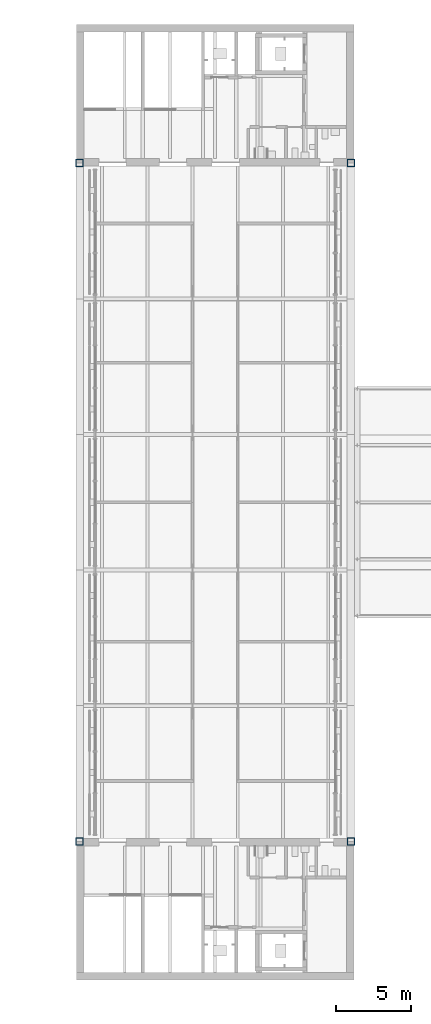
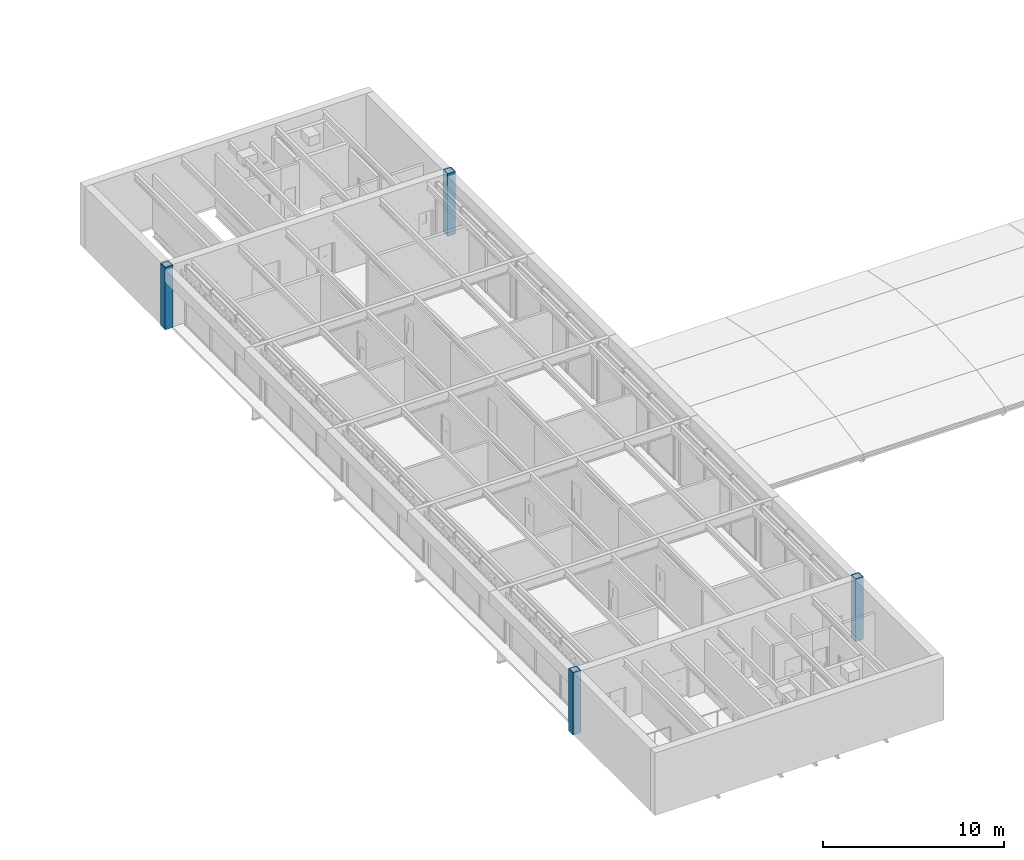
# One storey, part 1 of 43: 4 columns.
"""IFC4 building model written with IfcOpenShell, lengths in metres."""

from ifc_helpers import new_model, si_unit, direction, frame, origin, origin_2d, place, context, subcontext, project, spatial, hollow_rectangle, extrude, material, material_profile, profile_set, type_object, element, save


model = new_model("IFC4")

# Units and contexts
model_context = context("Model", 3, precision=1e-05, world=origin(), true_north=direction((0.0, 1.0)))
body_context = subcontext(model_context, "Body", "Model", "MODEL_VIEW")
ifc_project = project(units=[si_unit("LENGTHUNIT", "METRE"), si_unit("AREAUNIT", "SQUARE_METRE"), si_unit("VOLUMEUNIT", "CUBIC_METRE"), si_unit("PLANEANGLEUNIT", "RADIAN"), si_unit("MASSUNIT", "GRAM", prefix="KILO")], contexts=[model_context])

# Site, building, storey
site_placement = place(None, origin())
site = spatial("IfcSite", under=ifc_project, at=site_placement, CompositionType="ELEMENT")
building_placement = place(site_placement, origin())
building = spatial("IfcBuilding", under=site, at=building_placement, Name="Baradari Gate Terminus", CompositionType="ELEMENT")
storey_placement = place(building_placement, frame((0.0, 0.0, 20.10009765625)))
storey = spatial("IfcBuildingStorey", under=building, at=storey_placement, Name="L04", CompositionType="ELEMENT", Elevation=20.10009765625)

# Columns
ifc_material = material(Name="Steel S355", Category="steel")
ifc_material_profile = material_profile(ifc_material, hollow_rectangle(XDim=0.5, YDim=0.5, WallThickness=0.031982421875, at=origin_2d()), Name="FB 500x500x32")
ifc_profile_set = profile_set([ifc_material_profile], Name="Steel S355")
column_type = type_object("IfcColumnType", Name="Abutment end post C06 FB 500x500x32", PredefinedType="COLUMN", material=ifc_profile_set)
for number, where, z_axis, x_axis, name in (
    (1, (72.0, 36.0, 0.0), (0.0, 0.0, 1.0), (1.0, 0.0, 0.0), "C06 column 9-E L04"),
    (2, (72.0, 81.0, 0.0), (0.0, 0.0, 1.0), (1.0, 0.0, 0.0), "C06 column 9-K L04"),
    (3, (90.0, 36.0, 0.0), (0.0, 0.0, 1.0), (1.0, 0.0, 0.0), "C06 column 11-E L04"),
    (4, (90.0, 81.0, 0.0), (0.0, 0.0, 1.0), (1.0, 0.0, 0.0), "C06 column 11-K L04"),
):
    element("IfcColumn", number, at=place(storey_placement, frame(where, z_axis=z_axis, x_axis=x_axis)), inside=storey, type_object=column_type, Name=name, PredefinedType="COLUMN", context=body_context, shape_type="SweptSolid", body=[
        extrude(hollow_rectangle(XDim=0.5, YDim=0.5, WallThickness=0.031982421875, at=origin_2d()), origin(), (0.0, 0.0, 1.0), 4.199951171875),
    ])

save(model, "model.ifc")
